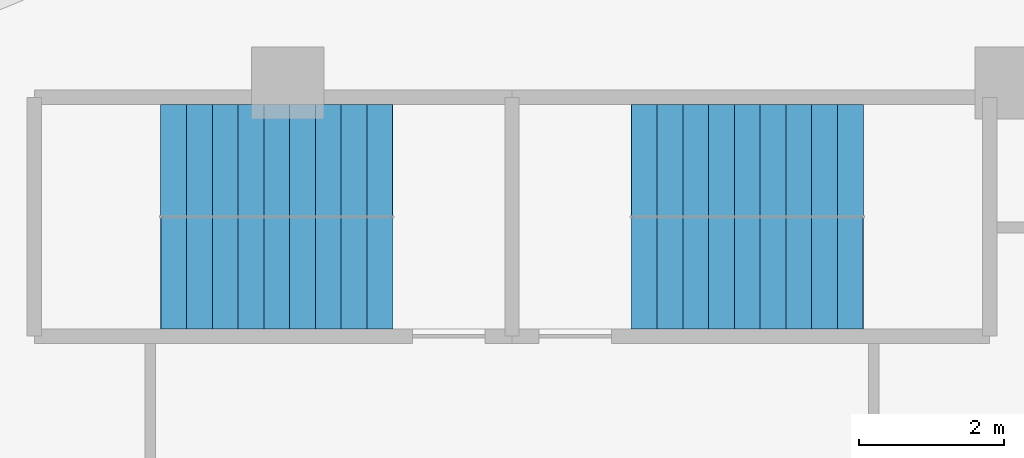
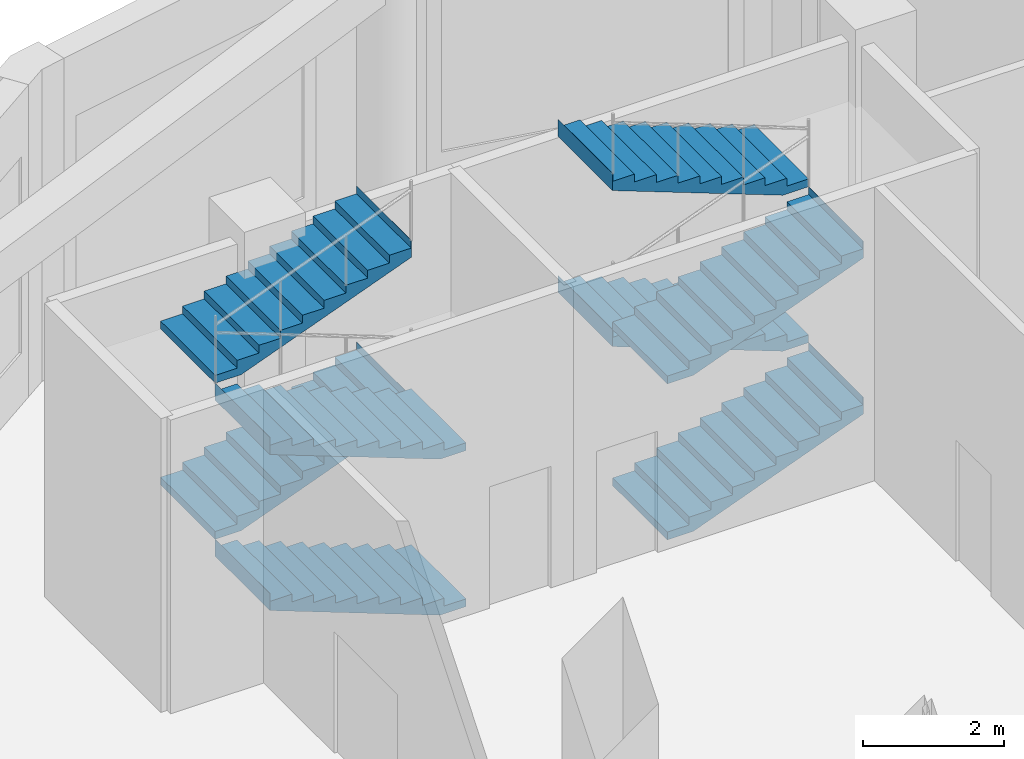
# One storey, part 7 of 9: 8 stair flights, 2 elements without a shape of their own.
"""IFC4 building model written with IfcOpenShell, lengths in metres."""

from ifc_helpers import new_model, si_unit, direction, frame, origin, place, context, subcontext, project, spatial, polyline, outline, extrude, material, type_object, element, aggregate, save


model = new_model("IFC4")

# Units and contexts
model_context = context("Model", 3, precision=1e-05, world=origin(), true_north=direction((0.0, 1.0)))
body_context = subcontext(model_context, "Body", "Model", "MODEL_VIEW")
ifc_project = project(units=[si_unit("LENGTHUNIT", "METRE"), si_unit("AREAUNIT", "SQUARE_METRE"), si_unit("VOLUMEUNIT", "CUBIC_METRE"), si_unit("PLANEANGLEUNIT", "RADIAN"), si_unit("MASSUNIT", "GRAM", prefix="KILO")], contexts=[model_context])

# Site, building, storey
site_placement = place(None, origin())
site = spatial("IfcSite", under=ifc_project, at=site_placement, CompositionType="ELEMENT")
building_placement = place(site_placement, origin())
building = spatial("IfcBuilding", under=site, at=building_placement, Name="Qaws Garden Tower", CompositionType="ELEMENT")
storey_placement = place(building_placement, frame((0.0, 0.0, 246.0)))
storey = spatial("IfcBuildingStorey", under=building, at=storey_placement, Name="L59", CompositionType="ELEMENT", Elevation=246.0)

# Stair, stair flights
ifc_material_1 = material(Name="Concrete C40", Category="concrete")
stair_type = type_object("IfcStairType", Name="Exit stair 1350", PredefinedType="HALF_TURN_STAIR", material=ifc_material_1)
placement = place(storey_placement, origin())
stair_1 = element("IfcStair", 1, at=placement, inside=storey, type_object=stair_type, Name="Stair 6", PredefinedType="HALF_TURN_STAIR")
ifc_material_2 = material(Name="Concrete C40", Category="concrete")
stair_flight_type = type_object("IfcStairFlightType", Name="Stair flight 1350", PredefinedType="STRAIGHT", material=ifc_material_2)
stair_flight_1_placement = place(storey_placement, frame((11.449951171875, 67.375, 0.0), z_axis=(0.0, 0.0, 1.0), x_axis=(-1.0, 0.0, 0.0)))
stair_flight_1 = element("IfcStairFlight", 2, at=stair_flight_1_placement, type_object=stair_flight_type, Name="ST6 flight 1", NumberOfRisers=10, NumberOfTreads=9, PredefinedType="STRAIGHT", RiserHeight=0.135, TreadLength=0.356, context=body_context, shape_type="SweptSolid", body=[
    extrude(outline(polyline([(-0.0029296875, 0.0), (-0.0029296875, 0.135009765625), (0.0, 0.135009765625), (0.35595703125, 0.135009765625), (0.35595703125, 0.27001953125), (0.7119140625, 0.27001953125), (0.7119140625, 0.405029296875), (1.068115234375, 0.405029296875), (1.068115234375, 0.5400390625), (1.424072265625, 0.5400390625), (1.424072265625, 0.675048828125), (1.780029296875, 0.675048828125), (1.780029296875, 0.81005859375), (2.135986328125, 0.81005859375), (2.135986328125, 0.945068359375), (2.491943359375, 0.945068359375), (2.491943359375, 1.080078125), (2.847900390625, 1.080078125), (2.847900390625, 1.215087890625), (3.2041015625, 1.215087890625), (3.2041015625, 1.35009765625), (3.20703125, 1.35009765625), (3.20703125, 1.0546875), (3.2041015625, 1.0546875), (0.4228515625, 0.0), (-0.0029296875, 0.0)])), frame((0.0, 0.77490234375, 0.0), z_axis=(0.0, -1.0, 0.0), x_axis=(1.0, 0.0, 0.0)), (0.0, 0.0, 1.0), 1.550048828125),
])
stair_flight_2_placement = place(storey_placement, frame((8.24609375, 68.925048828125, 1.35009765625), z_axis=(0.0, 0.0, 1.0), x_axis=(1.0, 0.0, 0.0)))
stair_flight_2 = element("IfcStairFlight", 3, at=stair_flight_2_placement, type_object=stair_flight_type, Name="ST6 flight 2", NumberOfRisers=10, NumberOfTreads=9, PredefinedType="STRAIGHT", RiserHeight=0.135, TreadLength=0.356, context=body_context, shape_type="SweptSolid", body=[
    extrude(outline(polyline([(-0.0029296875, 0.0), (-0.0029296875, 0.135009765625), (0.0, 0.135009765625), (0.35595703125, 0.135009765625), (0.35595703125, 0.27001953125), (0.7119140625, 0.27001953125), (0.7119140625, 0.405029296875), (1.068115234375, 0.405029296875), (1.068115234375, 0.5400390625), (1.424072265625, 0.5400390625), (1.424072265625, 0.675048828125), (1.780029296875, 0.675048828125), (1.780029296875, 0.81005859375), (2.135986328125, 0.81005859375), (2.135986328125, 0.945068359375), (2.491943359375, 0.945068359375), (2.491943359375, 1.080078125), (2.847900390625, 1.080078125), (2.847900390625, 1.215087890625), (3.2041015625, 1.215087890625), (3.2041015625, 1.35009765625), (3.20703125, 1.35009765625), (3.20703125, 1.0546875), (3.2041015625, 1.0546875), (0.4228515625, 0.0), (-0.0029296875, 0.0)])), frame((0.0, 0.77490234375, 0.0), z_axis=(0.0, -1.0, 0.0), x_axis=(1.0, 0.0, 0.0)), (0.0, 0.0, 1.0), 1.550048828125),
])
stair_flight_3_placement = place(storey_placement, frame((11.449951171875, 67.375, 2.699951171875), z_axis=(0.0, 0.0, 1.0), x_axis=(-1.0, 0.0, 0.0)))
stair_flight_3 = element("IfcStairFlight", 4, at=stair_flight_3_placement, type_object=stair_flight_type, Name="ST6 flight 3", NumberOfRisers=10, NumberOfTreads=9, PredefinedType="STRAIGHT", RiserHeight=0.135, TreadLength=0.356, context=body_context, shape_type="SweptSolid", body=[
    extrude(outline(polyline([(-0.0029296875, 0.0), (-0.0029296875, 0.135009765625), (0.0, 0.135009765625), (0.35595703125, 0.135009765625), (0.35595703125, 0.27001953125), (0.7119140625, 0.27001953125), (0.7119140625, 0.405029296875), (1.068115234375, 0.405029296875), (1.068115234375, 0.5400390625), (1.424072265625, 0.5400390625), (1.424072265625, 0.675048828125), (1.780029296875, 0.675048828125), (1.780029296875, 0.81005859375), (2.135986328125, 0.81005859375), (2.135986328125, 0.945068359375), (2.491943359375, 0.945068359375), (2.491943359375, 1.080078125), (2.847900390625, 1.080078125), (2.847900390625, 1.215087890625), (3.2041015625, 1.215087890625), (3.2041015625, 1.35009765625), (3.20703125, 1.35009765625), (3.20703125, 1.0546875), (3.2041015625, 1.0546875), (0.4228515625, 0.0), (-0.0029296875, 0.0)])), frame((0.0, 0.77490234375, 0.0), z_axis=(0.0, -1.0, 0.0), x_axis=(1.0, 0.0, 0.0)), (0.0, 0.0, 1.0), 1.550048828125),
])
stair_flight_4_placement = place(storey_placement, frame((8.24609375, 68.925048828125, 4.050048828125), z_axis=(0.0, 0.0, 1.0), x_axis=(1.0, 0.0, 0.0)))
stair_flight_4 = element("IfcStairFlight", 5, at=stair_flight_4_placement, type_object=stair_flight_type, Name="ST6 flight 4", NumberOfRisers=10, NumberOfTreads=9, PredefinedType="STRAIGHT", RiserHeight=0.135, TreadLength=0.356, context=body_context, shape_type="SweptSolid", body=[
    extrude(outline(polyline([(-0.0029296875, 0.0), (-0.0029296875, 0.135009765625), (0.0, 0.135009765625), (0.35595703125, 0.135009765625), (0.35595703125, 0.27001953125), (0.7119140625, 0.27001953125), (0.7119140625, 0.405029296875), (1.068115234375, 0.405029296875), (1.068115234375, 0.5400390625), (1.424072265625, 0.5400390625), (1.424072265625, 0.675048828125), (1.780029296875, 0.675048828125), (1.780029296875, 0.81005859375), (2.135986328125, 0.81005859375), (2.135986328125, 0.945068359375), (2.491943359375, 0.945068359375), (2.491943359375, 1.080078125), (2.847900390625, 1.080078125), (2.847900390625, 1.215087890625), (3.2041015625, 1.215087890625), (3.2041015625, 1.35009765625), (3.20703125, 1.35009765625), (3.20703125, 1.0546875), (3.2041015625, 1.0546875), (0.4228515625, 0.0), (-0.0029296875, 0.0)])), frame((0.0, 0.77490234375, 0.0), z_axis=(0.0, -1.0, 0.0), x_axis=(1.0, 0.0, 0.0)), (0.0, 0.0, 1.0), 1.550048828125),
])
aggregate(stair_1, [stair_flight_1, stair_flight_2, stair_flight_3, stair_flight_4])

stair_2 = element("IfcStair", 6, at=placement, inside=storey, type_object=stair_type, Name="Stair 7", PredefinedType="HALF_TURN_STAIR")
stair_flight_5_placement = place(storey_placement, frame((14.75, 67.375, 0.0), z_axis=(0.0, 0.0, 1.0), x_axis=(1.0, 0.0, 0.0)))
stair_flight_5 = element("IfcStairFlight", 7, at=stair_flight_5_placement, type_object=stair_flight_type, Name="ST7 flight 1", NumberOfRisers=10, NumberOfTreads=9, PredefinedType="STRAIGHT", RiserHeight=0.135, TreadLength=0.356, context=body_context, shape_type="SweptSolid", body=[
    extrude(outline(polyline([(-0.0029296875, 0.0), (-0.0029296875, 0.135009765625), (0.0, 0.135009765625), (0.35595703125, 0.135009765625), (0.35595703125, 0.27001953125), (0.7119140625, 0.27001953125), (0.7119140625, 0.405029296875), (1.068115234375, 0.405029296875), (1.068115234375, 0.5400390625), (1.424072265625, 0.5400390625), (1.424072265625, 0.675048828125), (1.780029296875, 0.675048828125), (1.780029296875, 0.81005859375), (2.135986328125, 0.81005859375), (2.135986328125, 0.945068359375), (2.491943359375, 0.945068359375), (2.491943359375, 1.080078125), (2.847900390625, 1.080078125), (2.847900390625, 1.215087890625), (3.2041015625, 1.215087890625), (3.2041015625, 1.35009765625), (3.20703125, 1.35009765625), (3.20703125, 1.0546875), (3.2041015625, 1.0546875), (0.4228515625, 0.0), (-0.0029296875, 0.0)])), frame((0.0, 0.77490234375, 0.0), z_axis=(0.0, -1.0, 0.0), x_axis=(1.0, 0.0, 0.0)), (0.0, 0.0, 1.0), 1.550048828125),
])
stair_flight_6_placement = place(storey_placement, frame((17.9541015625, 68.925048828125, 1.35009765625), z_axis=(0.0, 0.0, 1.0), x_axis=(-1.0, 0.0, 0.0)))
stair_flight_6 = element("IfcStairFlight", 8, at=stair_flight_6_placement, type_object=stair_flight_type, Name="ST7 flight 2", NumberOfRisers=10, NumberOfTreads=9, PredefinedType="STRAIGHT", RiserHeight=0.135, TreadLength=0.356, context=body_context, shape_type="SweptSolid", body=[
    extrude(outline(polyline([(-0.0029296875, 0.0), (-0.0029296875, 0.135009765625), (0.0, 0.135009765625), (0.35595703125, 0.135009765625), (0.35595703125, 0.27001953125), (0.7119140625, 0.27001953125), (0.7119140625, 0.405029296875), (1.068115234375, 0.405029296875), (1.068115234375, 0.5400390625), (1.424072265625, 0.5400390625), (1.424072265625, 0.675048828125), (1.780029296875, 0.675048828125), (1.780029296875, 0.81005859375), (2.135986328125, 0.81005859375), (2.135986328125, 0.945068359375), (2.491943359375, 0.945068359375), (2.491943359375, 1.080078125), (2.847900390625, 1.080078125), (2.847900390625, 1.215087890625), (3.2041015625, 1.215087890625), (3.2041015625, 1.35009765625), (3.20703125, 1.35009765625), (3.20703125, 1.0546875), (3.2041015625, 1.0546875), (0.4228515625, 0.0), (-0.0029296875, 0.0)])), frame((0.0, 0.77490234375, 0.0), z_axis=(0.0, -1.0, 0.0), x_axis=(1.0, 0.0, 0.0)), (0.0, 0.0, 1.0), 1.550048828125),
])
stair_flight_7_placement = place(storey_placement, frame((14.75, 67.375, 2.699951171875), z_axis=(0.0, 0.0, 1.0), x_axis=(1.0, 0.0, 0.0)))
stair_flight_7 = element("IfcStairFlight", 9, at=stair_flight_7_placement, type_object=stair_flight_type, Name="ST7 flight 3", NumberOfRisers=10, NumberOfTreads=9, PredefinedType="STRAIGHT", RiserHeight=0.135, TreadLength=0.356, context=body_context, shape_type="SweptSolid", body=[
    extrude(outline(polyline([(-0.0029296875, 0.0), (-0.0029296875, 0.135009765625), (0.0, 0.135009765625), (0.35595703125, 0.135009765625), (0.35595703125, 0.27001953125), (0.7119140625, 0.27001953125), (0.7119140625, 0.405029296875), (1.068115234375, 0.405029296875), (1.068115234375, 0.5400390625), (1.424072265625, 0.5400390625), (1.424072265625, 0.675048828125), (1.780029296875, 0.675048828125), (1.780029296875, 0.81005859375), (2.135986328125, 0.81005859375), (2.135986328125, 0.945068359375), (2.491943359375, 0.945068359375), (2.491943359375, 1.080078125), (2.847900390625, 1.080078125), (2.847900390625, 1.215087890625), (3.2041015625, 1.215087890625), (3.2041015625, 1.35009765625), (3.20703125, 1.35009765625), (3.20703125, 1.0546875), (3.2041015625, 1.0546875), (0.4228515625, 0.0), (-0.0029296875, 0.0)])), frame((0.0, 0.77490234375, 0.0), z_axis=(0.0, -1.0, 0.0), x_axis=(1.0, 0.0, 0.0)), (0.0, 0.0, 1.0), 1.550048828125),
])
stair_flight_8_placement = place(storey_placement, frame((17.9541015625, 68.925048828125, 4.050048828125), z_axis=(0.0, 0.0, 1.0), x_axis=(-1.0, 0.0, 0.0)))
stair_flight_8 = element("IfcStairFlight", 10, at=stair_flight_8_placement, type_object=stair_flight_type, Name="ST7 flight 4", NumberOfRisers=10, NumberOfTreads=9, PredefinedType="STRAIGHT", RiserHeight=0.135, TreadLength=0.356, context=body_context, shape_type="SweptSolid", body=[
    extrude(outline(polyline([(-0.0029296875, 0.0), (-0.0029296875, 0.135009765625), (0.0, 0.135009765625), (0.35595703125, 0.135009765625), (0.35595703125, 0.27001953125), (0.7119140625, 0.27001953125), (0.7119140625, 0.405029296875), (1.068115234375, 0.405029296875), (1.068115234375, 0.5400390625), (1.424072265625, 0.5400390625), (1.424072265625, 0.675048828125), (1.780029296875, 0.675048828125), (1.780029296875, 0.81005859375), (2.135986328125, 0.81005859375), (2.135986328125, 0.945068359375), (2.491943359375, 0.945068359375), (2.491943359375, 1.080078125), (2.847900390625, 1.080078125), (2.847900390625, 1.215087890625), (3.2041015625, 1.215087890625), (3.2041015625, 1.35009765625), (3.20703125, 1.35009765625), (3.20703125, 1.0546875), (3.2041015625, 1.0546875), (0.4228515625, 0.0), (-0.0029296875, 0.0)])), frame((0.0, 0.77490234375, 0.0), z_axis=(0.0, -1.0, 0.0), x_axis=(1.0, 0.0, 0.0)), (0.0, 0.0, 1.0), 1.550048828125),
])
aggregate(stair_2, [stair_flight_5, stair_flight_6, stair_flight_7, stair_flight_8])

save(model, "model.ifc")
